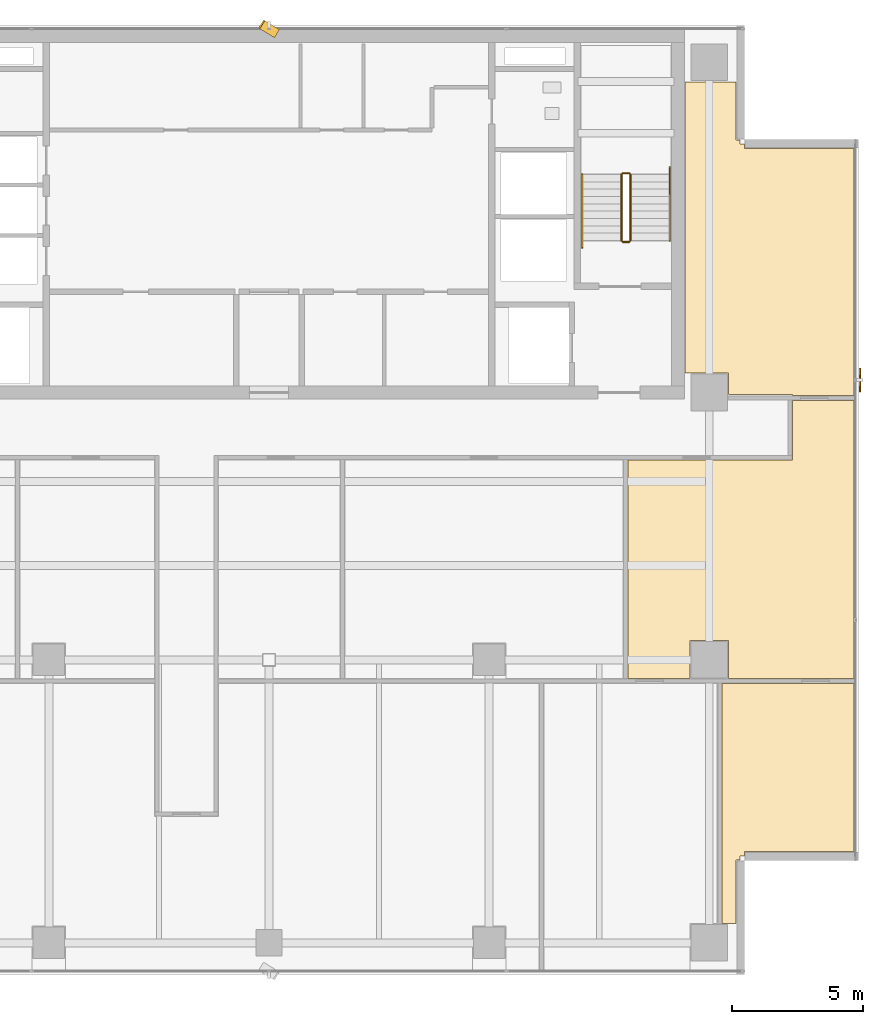
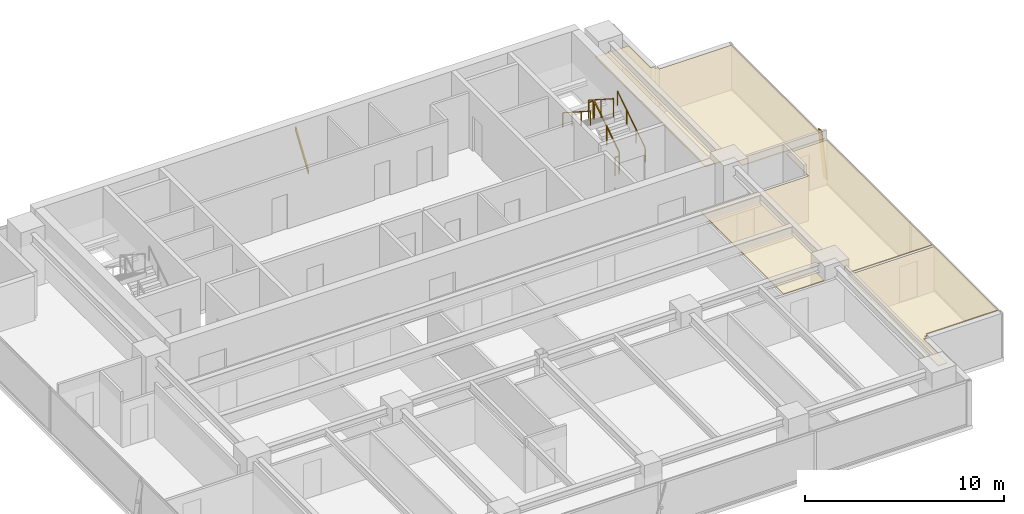
# One storey, part 24 of 25: 6 railings, 3 coverings, 2 shading devices.
"""IFC4 building model written with IfcOpenShell, lengths in metres."""

from ifc_helpers import new_model, si_unit, direction, frame, origin, origin_2d, place, context, subcontext, project, spatial, polyline, rectangle, outline, extrude, source, transform, mapped, material, layer, layer_set, material_profile, profile_set, type_object, element, save


model = new_model("IFC4")

# Units and contexts
model_context = context("Model", 3, precision=1e-05, world=origin(), true_north=direction((0.0, 1.0)))
body_context = subcontext(model_context, "Body", "Model", "MODEL_VIEW")
ifc_project = project(units=[si_unit("LENGTHUNIT", "METRE"), si_unit("AREAUNIT", "SQUARE_METRE"), si_unit("VOLUMEUNIT", "CUBIC_METRE"), si_unit("PLANEANGLEUNIT", "RADIAN"), si_unit("MASSUNIT", "GRAM", prefix="KILO")], contexts=[model_context])

# Site, building, storey
site_placement = place(None, origin())
site = spatial("IfcSite", under=ifc_project, at=site_placement, CompositionType="ELEMENT")
building_placement = place(site_placement, origin())
building = spatial("IfcBuilding", under=site, at=building_placement, Name="Sumidabori Civic Tower", CompositionType="ELEMENT")
storey_placement = place(building_placement, frame((0.0, 0.0, 246.800048828125)))
storey = spatial("IfcBuildingStorey", under=building, at=storey_placement, Name="L64", CompositionType="ELEMENT", Elevation=246.800048828125)

# Coverings
ifc_material_1 = material(Name="Anodised Bronze Baffle Ceiling")
ifc_layer = layer(ifc_material_1, 0.054931640625, Name="Anodised Bronze Baffle Ceiling")
ifc_layer_set = layer_set([ifc_layer], Name="Anodised Bronze Baffle Ceiling")
covering_type = type_object("IfcCoveringType", Name="CV-CEIL-AC3", PredefinedType="CEILING", material=ifc_layer_set)
covering_1_placement = place(storey_placement, frame((0.0, 0.0, 2.719970703125)))
element("IfcCovering", 1, at=covering_1_placement, inside=storey, type_object=covering_type, Name="Room Acoustic Ceiling L64-02", PredefinedType="CEILING", context=body_context, shape_type="SweptSolid", body=[
    extrude(outline(polyline([(17.822021484375, 22.06005859375), (17.822021484375, 19.842041015625), (17.97998046875, 19.842041015625), (17.97998046875, 19.679931640625), (18.14208984375, 19.679931640625), (18.14208984375, 19.52197265625), (22.330078125, 19.52197265625), (22.330078125, 10.094970703125), (19.969970703125, 10.094970703125), (19.969970703125, 10.1201171875), (17.5400390625, 10.1201171875), (17.5400390625, 10.93994140625), (15.8779296875, 10.93994140625), (15.8779296875, 22.06005859375), (17.822021484375, 22.06005859375)])), origin(), (0.0, 0.0, 1.0), 0.054931640625),
])
covering_2_placement = place(storey_placement, frame((0.0, 0.0, 2.719970703125)))
element("IfcCovering", 2, at=covering_2_placement, inside=storey, type_object=covering_type, Name="Room Acoustic Ceiling L64-04", PredefinedType="CEILING", context=body_context, shape_type="SweptSolid", body=[
    extrude(outline(polyline([(13.695068359375, 7.6298828125), (19.969970703125, 7.6298828125), (19.969970703125, 9.905029296875), (22.330078125, 9.905029296875), (22.330078125, -0.705078125), (17.5400390625, -0.705078125), (17.5400390625, 0.739990234375), (16.06005859375, 0.739990234375), (16.06005859375, -0.705078125), (13.695068359375, -0.705078125), (13.695068359375, 7.6298828125)])), origin(), (0.0, 0.0, 1.0), 0.054931640625),
])
covering_3_placement = place(storey_placement, frame((0.0, 0.0, 2.719970703125)))
element("IfcCovering", 3, at=covering_3_placement, inside=storey, type_object=covering_type, Name="Room Acoustic Ceiling L64-10", PredefinedType="CEILING", context=body_context, shape_type="SweptSolid", body=[
    extrude(outline(polyline([(22.330078125, -0.89501953125), (22.330078125, -7.322021484375), (18.14208984375, -7.322021484375), (18.14208984375, -7.47998046875), (17.97998046875, -7.47998046875), (17.97998046875, -7.64208984375), (17.822021484375, -7.64208984375), (17.822021484375, -10.06005859375), (17.294921875, -10.06005859375), (17.294921875, -0.89501953125), (22.330078125, -0.89501953125)])), origin(), (0.0, 0.0, 1.0), 0.054931640625),
])

# Railings
ifc_material_2 = material(Name="Stainless Steel Hairline Finish", Category="steel")
railing_type_1 = type_object("IfcRailingType", Name="RL-HANDRAIL", PredefinedType="HANDRAIL", material=ifc_material_2)
railing_1_placement = place(storey_placement, frame((15.2900390625, 16.0, 0.179931640625)))
element("IfcRailing", 4, at=railing_1_placement, inside=storey, type_object=railing_type_1, Name="L64 ST-2 stair handrail 1", PredefinedType="HANDRAIL", context=body_context, shape_type="SweptSolid", body=[
    extrude(rectangle(XDim=0.048095703125, YDim=0.048095703125, at=origin_2d()), frame((0.0, 0.0, 0.8759765625), z_axis=(0.0, 0.840675598268, 0.541539046124), x_axis=(-1.0, 0.0, 0.0)), (0.0, 0.0, 1.0), 3.330810546875),
    extrude(rectangle(XDim=0.0419921875, YDim=0.0419921875, at=origin_2d()), origin(), (0.0, 0.0, 1.0), 0.851806640625),
    extrude(rectangle(XDim=0.0419921875, YDim=0.0419921875, at=origin_2d()), frame((0.0, 0.933349609375, 0.601318359375)), (0.0, 0.0, 1.0), 0.851806640625),
    extrude(rectangle(XDim=0.0419921875, YDim=0.0419921875, at=origin_2d()), frame((0.0, 1.86669921875, 1.202392578125)), (0.0, 0.0, 1.0), 0.851806640625),
    extrude(rectangle(XDim=0.0419921875, YDim=0.0419921875, at=origin_2d()), frame((0.0, 2.800048828125, 1.8037109375)), (0.0, 0.0, 1.0), 0.851806640625),
])
railing_2_placement = place(storey_placement, frame((11.949951171875, 18.52001953125, 1.97998046875)))
element("IfcRailing", 5, at=railing_2_placement, inside=storey, type_object=railing_type_1, Name="L64 ST-2 stair handrail 2", PredefinedType="HANDRAIL", context=body_context, shape_type="SweptSolid", body=[
    extrude(rectangle(XDim=0.048095703125, YDim=0.048095703125, at=origin_2d()), frame((0.0, 0.0, 0.8759765625), z_axis=(0.0, -0.840675598268, 0.541539046124), x_axis=(1.0, 0.0, 0.0)), (0.0, 0.0, 1.0), 3.330810546875),
    extrude(rectangle(XDim=0.0419921875, YDim=0.0419921875, at=origin_2d()), origin(), (0.0, 0.0, 1.0), 0.851806640625),
    extrude(rectangle(XDim=0.0419921875, YDim=0.0419921875, at=origin_2d()), frame((0.0, -0.933349609375, 0.601318359375)), (0.0, 0.0, 1.0), 0.851806640625),
    extrude(rectangle(XDim=0.0419921875, YDim=0.0419921875, at=origin_2d()), frame((0.0, -1.86669921875, 1.202392578125)), (0.0, 0.0, 1.0), 0.851806640625),
    extrude(rectangle(XDim=0.0419921875, YDim=0.0419921875, at=origin_2d()), frame((0.0, -2.800048828125, 1.8037109375)), (0.0, 0.0, 1.0), 0.851806640625),
])
ifc_material_3 = material(Name="Steel SN490", Category="steel")
railing_type_2 = type_object("IfcRailingType", Name="RL-STAIR-GUARD", PredefinedType="GUARDRAIL", material=ifc_material_3)
railing_3_placement = place(storey_placement, frame((13.7900390625, 16.0, 0.179931640625)))
element("IfcRailing", 6, at=railing_3_placement, inside=storey, type_object=railing_type_2, Name="L64 ST-2 stair guard 1", PredefinedType="GUARDRAIL", context=body_context, shape_type="SweptSolid", body=[
    extrude(rectangle(XDim=0.048095703125, YDim=0.048095703125, at=origin_2d()), frame((0.0, 0.0, 1.1259765625), z_axis=(0.0, 0.841162588446, 0.540782303519), x_axis=(-1.0, 0.0, 0.0)), (0.0, 0.0, 1.0), 2.995849609375),
    extrude(rectangle(XDim=0.0419921875, YDim=0.0419921875, at=origin_2d()), origin(), (0.0, 0.0, 1.0), 1.101806640625),
    extrude(rectangle(XDim=0.0419921875, YDim=0.0419921875, at=origin_2d()), frame((0.0, 1.260009765625, 0.81005859375)), (0.0, 0.0, 1.0), 1.101806640625),
    extrude(rectangle(XDim=0.0419921875, YDim=0.0419921875, at=origin_2d()), frame((0.0, 2.52001953125, 1.6201171875)), (0.0, 0.0, 1.0), 1.101806640625),
])
railing_4_placement = place(storey_placement, frame((13.739990234375, 18.570068359375, 1.800048828125)))
element("IfcRailing", 7, at=railing_4_placement, inside=storey, type_object=railing_type_2, Name="L64 ST-2 stair guard 2", PredefinedType="GUARDRAIL", context=body_context, shape_type="SweptSolid", body=[
    extrude(rectangle(XDim=0.048095703125, YDim=0.048095703125, at=origin_2d()), frame((0.0, 0.0, 1.1259765625), z_axis=(-1.0, 0.0, 0.0), x_axis=(0.0, -1.0, 0.0)), (0.0, 0.0, 1.0), 0.239990234375),
    extrude(rectangle(XDim=0.0419921875, YDim=0.0419921875, at=origin_2d()), origin(), (0.0, 0.0, 1.0), 1.101806640625),
    extrude(rectangle(XDim=0.0419921875, YDim=0.0419921875, at=origin_2d()), frame((-0.239990234375, 0.0, 0.0)), (0.0, 0.0, 1.0), 1.101806640625),
])
railing_5_placement = place(storey_placement, frame((13.449951171875, 18.52001953125, 1.97998046875)))
element("IfcRailing", 8, at=railing_5_placement, inside=storey, type_object=railing_type_2, Name="L64 ST-2 stair guard 3", PredefinedType="GUARDRAIL", context=body_context, shape_type="SweptSolid", body=[
    extrude(rectangle(XDim=0.048095703125, YDim=0.048095703125, at=origin_2d()), frame((0.0, 0.0, 1.1259765625), z_axis=(0.0, -0.841199657755, 0.540724639528), x_axis=(1.0, 0.0, 0.0)), (0.0, 0.0, 1.0), 2.995849609375),
    extrude(rectangle(XDim=0.0419921875, YDim=0.0419921875, at=origin_2d()), origin(), (0.0, 0.0, 1.0), 1.101806640625),
    extrude(rectangle(XDim=0.0419921875, YDim=0.0419921875, at=origin_2d()), frame((0.0, -1.260009765625, 0.81005859375)), (0.0, 0.0, 1.0), 1.101806640625),
    extrude(rectangle(XDim=0.0419921875, YDim=0.0419921875, at=origin_2d()), frame((0.0, -2.52001953125, 1.619873046875)), (0.0, 0.0, 1.0), 1.101806640625),
])
railing_6_placement = place(storey_placement, frame((13.739990234375, 15.949951171875, 0.0)))
element("IfcRailing", 9, at=railing_6_placement, inside=storey, type_object=railing_type_2, Name="L64 ST-2 stair guard 4", PredefinedType="GUARDRAIL", context=body_context, shape_type="SweptSolid", body=[
    extrude(rectangle(XDim=0.048095703125, YDim=0.048095703125, at=origin_2d()), frame((0.0, 0.0, 1.1259765625), z_axis=(-1.0, 0.0, 0.0), x_axis=(0.0, -1.0, 0.0)), (0.0, 0.0, 1.0), 0.239990234375),
    extrude(rectangle(XDim=0.0419921875, YDim=0.0419921875, at=origin_2d()), origin(), (0.0, 0.0, 1.0), 1.101806640625),
    extrude(rectangle(XDim=0.0419921875, YDim=0.0419921875, at=origin_2d()), frame((-0.239990234375, 0.0, 0.0)), (0.0, 0.0, 1.0), 1.101806640625),
])

# Shading devices
ifc_material_4 = material(Name="Anodised Bronze Aluminium AW-6063-T6", Category="aluminium")
ifc_material_profile = material_profile(ifc_material_4, rectangle(XDim=0.054931640625, YDim=0.360107421875, at=origin_2d()), Name="BRONZE FIN 360x55")
ifc_profile_set = profile_set([ifc_material_profile], Name="Anodised Bronze Aluminium AW-6063-T6")
shading_device_type = type_object("IfcShadingDeviceType", Name="SH-FIN-360", PredefinedType="USERDEFINED", material=ifc_profile_set)
shared_shape_1 = source(origin(), body_context, "Body", "SweptSolid", [
    extrude(rectangle(XDim=0.054931640625, YDim=0.360107421875, at=origin_2d()), origin(), (0.0, 0.0, 1.0), 2.7685546875),
])
shading_device_1_placement = place(storey_placement, frame((0.280029296875, 23.909912109375, 0.02001953125), z_axis=(-0.202289930374, 0.122837782481, 0.971591304646), x_axis=(0.830469701518, -0.504291322674, 0.236665030656)))
element("IfcShadingDevice", 10, at=shading_device_1_placement, inside=storey, type_object=shading_device_type, Name="Bronze Anodised Diagonal Fin L64-02", ObjectType="FIN", PredefinedType="USERDEFINED", context=body_context, shape_type="MappedRepresentation", body=[
    mapped(shared_shape_1, transform((0.0, 0.0, 0.0), x_axis=(1.0, 0.0, 0.0), y_axis=(0.0, 1.0, 0.0), z_axis=(0.0, 0.0, 1.0), scale=1.0)),
])
shared_shape_2 = source(origin(), body_context, "Body", "SweptSolid", [
    extrude(rectangle(XDim=0.054931640625, YDim=0.360107421875, at=origin_2d()), origin(), (0.0, 0.0, 1.0), 2.74755859375),
])
shading_device_2_placement = place(storey_placement, frame((22.550048828125, 10.393310546875, 0.02001953125), z_axis=(0.0, 0.20383361069, 0.979005546028), x_axis=(-1.0, 0.0, 0.0)))
element("IfcShadingDevice", 11, at=shading_device_2_placement, inside=storey, type_object=shading_device_type, Name="Bronze Anodised Diagonal Fin L64-02", ObjectType="FIN", PredefinedType="USERDEFINED", context=body_context, shape_type="MappedRepresentation", body=[
    mapped(shared_shape_2, transform((0.0, 0.0, 0.0), x_axis=(1.0, 0.0, 0.0), y_axis=(0.0, 1.0, 0.0), z_axis=(0.0, 0.0, 1.0), scale=1.0)),
])

save(model, "model.ifc")
